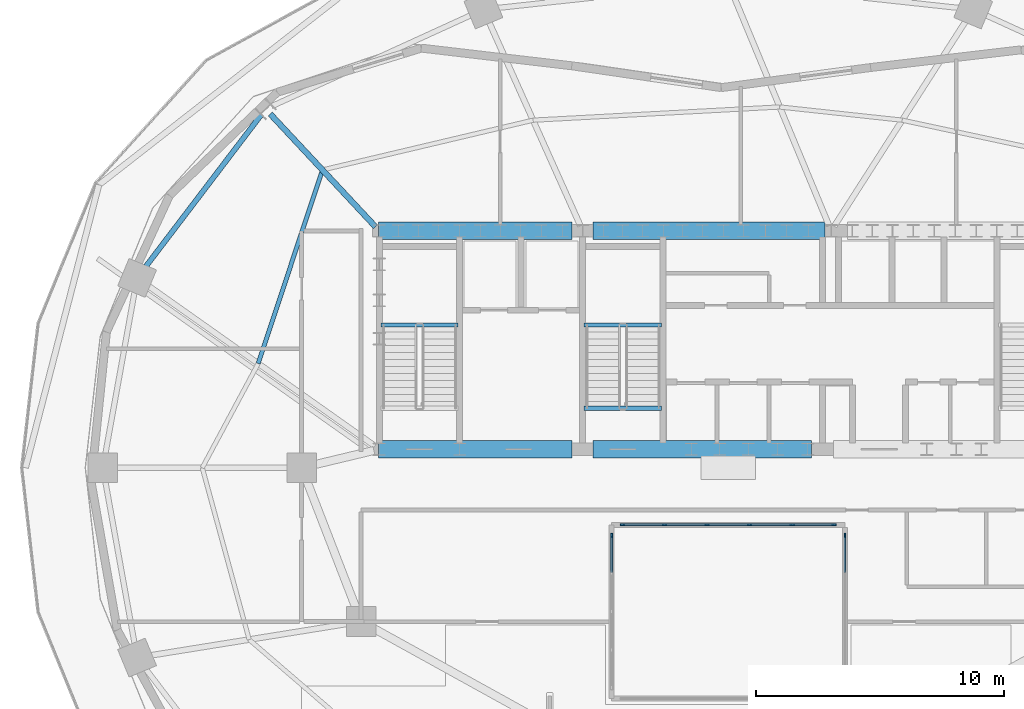
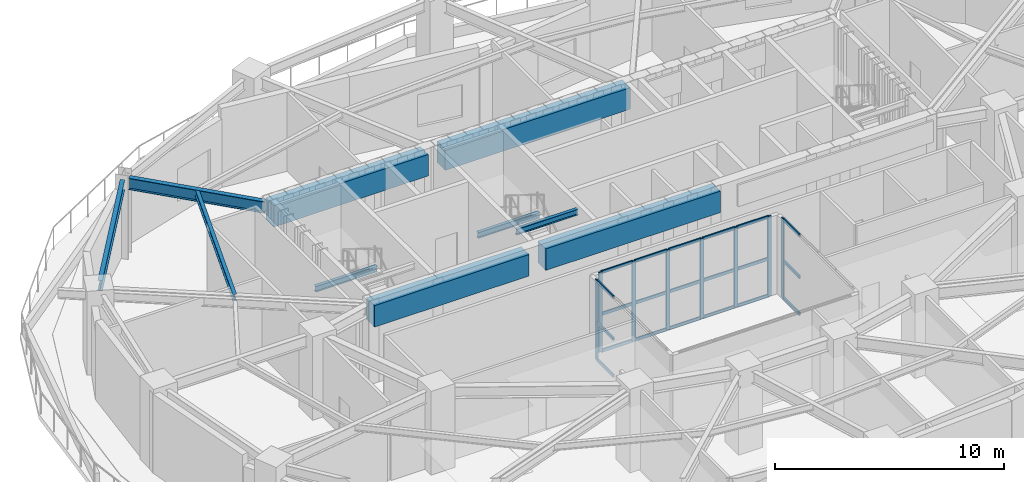
# One storey, part 3 of 11: 29 members, 10 beams, 3 elements without a shape of their own.
"""IFC4 building model written with IfcOpenShell, lengths in metres."""

from ifc_helpers import new_model, si_unit, direction, frame, origin, origin_2d, place, context, subcontext, project, spatial, rectangle, i_section, extrude, material, material_profile, profile_set, type_object, element, aggregate, save


model = new_model("IFC4")

# Units and contexts
model_context = context("Model", 3, precision=1e-05, world=origin(), true_north=direction((0.0, 1.0)))
body_context = subcontext(model_context, "Body", "Model", "MODEL_VIEW")
ifc_project = project(units=[si_unit("LENGTHUNIT", "METRE"), si_unit("AREAUNIT", "SQUARE_METRE"), si_unit("VOLUMEUNIT", "CUBIC_METRE"), si_unit("PLANEANGLEUNIT", "RADIAN"), si_unit("MASSUNIT", "GRAM", prefix="KILO")], contexts=[model_context])

# Site, building, storey
site_placement = place(None, origin())
site = spatial("IfcSite", under=ifc_project, at=site_placement, CompositionType="ELEMENT")
building_placement = place(site_placement, origin())
building = spatial("IfcBuilding", under=site, at=building_placement, Name="Haldorwick Loom Tower", CompositionType="ELEMENT")
storey_placement = place(building_placement, frame((0.0, 0.0, 131.14990234375)))
storey = spatial("IfcBuildingStorey", under=building, at=storey_placement, Name="L35", CompositionType="ELEMENT", Elevation=131.14990234375)

# Curtain wall, members
ifc_material_1 = material(Name="Thermally Broken Anodized Aluminium Curtain Wall Framing", Category="aluminium")
curtain_wall_type = type_object("IfcCurtainWallType", Name="ARC-CW-03", PredefinedType="NOTDEFINED", material=ifc_material_1)
curtain_wall_1_placement = place(storey_placement, origin())
curtain_wall_1 = element("IfcCurtainWall", 1, at=curtain_wall_1_placement, inside=storey, type_object=curtain_wall_type, Name="L35 Atrium Glazed Screen N", PredefinedType="NOTDEFINED")
ifc_material_profile_1 = material_profile(ifc_material_1, rectangle(XDim=0.06591796875, YDim=0.18505859375, at=origin_2d()), Name="ALU_MUL_66X185", Category="aluminium")
ifc_profile_set_1 = profile_set([ifc_material_profile_1], Name="Thermally Broken Anodized Aluminium Curtain Wall Framing")
member_type_1 = type_object("IfcMemberType", Name="ARC-CWM-03", PredefinedType="MULLION", material=ifc_profile_set_1)
member_1_placement = place(storey_placement, frame((31.73291015625, 23.699951171875, 0.0), z_axis=(0.0, 0.0, 1.0), x_axis=(0.0, 1.0, 0.0)))
member_1 = element("IfcMember", 2, at=member_1_placement, type_object=member_type_1, Name="CW-03 mullion 1", PredefinedType="MULLION", context=body_context, shape_type="SweptSolid", body=[
    extrude(rectangle(XDim=0.06591796875, YDim=0.18505859375, at=origin_2d()), origin(), (0.0, 0.0, 1.0), 4.260009765625),
])
member_2_placement = place(storey_placement, frame((33.419921875, 23.699951171875, 0.0), z_axis=(0.0, 0.0, 1.0), x_axis=(0.0, 1.0, 0.0)))
member_2 = element("IfcMember", 3, at=member_2_placement, type_object=member_type_1, Name="CW-03 mullion 2", PredefinedType="MULLION", context=body_context, shape_type="SweptSolid", body=[
    extrude(rectangle(XDim=0.06591796875, YDim=0.18505859375, at=origin_2d()), origin(), (0.0, 0.0, 1.0), 4.260009765625),
])
member_3_placement = place(storey_placement, frame((35.139892578125, 23.699951171875, 0.0), z_axis=(0.0, 0.0, 1.0), x_axis=(0.0, 1.0, 0.0)))
member_3 = element("IfcMember", 4, at=member_3_placement, type_object=member_type_1, Name="CW-03 mullion 3", PredefinedType="MULLION", context=body_context, shape_type="SweptSolid", body=[
    extrude(rectangle(XDim=0.06591796875, YDim=0.18505859375, at=origin_2d()), origin(), (0.0, 0.0, 1.0), 4.260009765625),
])
member_4_placement = place(storey_placement, frame((36.860107421875, 23.699951171875, 0.0), z_axis=(0.0, 0.0, 1.0), x_axis=(0.0, 1.0, 0.0)))
member_4 = element("IfcMember", 5, at=member_4_placement, type_object=member_type_1, Name="CW-03 mullion 4", PredefinedType="MULLION", context=body_context, shape_type="SweptSolid", body=[
    extrude(rectangle(XDim=0.06591796875, YDim=0.18505859375, at=origin_2d()), origin(), (0.0, 0.0, 1.0), 4.260009765625),
])
member_5_placement = place(storey_placement, frame((38.580078125, 23.699951171875, 0.0), z_axis=(0.0, 0.0, 1.0), x_axis=(0.0, 1.0, 0.0)))
member_5 = element("IfcMember", 6, at=member_5_placement, type_object=member_type_1, Name="CW-03 mullion 5", PredefinedType="MULLION", context=body_context, shape_type="SweptSolid", body=[
    extrude(rectangle(XDim=0.06591796875, YDim=0.18505859375, at=origin_2d()), origin(), (0.0, 0.0, 1.0), 4.260009765625),
])
member_6_placement = place(storey_placement, frame((40.26708984375, 23.699951171875, 0.0), z_axis=(0.0, 0.0, 1.0), x_axis=(0.0, 1.0, 0.0)))
member_6 = element("IfcMember", 7, at=member_6_placement, type_object=member_type_1, Name="CW-03 mullion 6", PredefinedType="MULLION", context=body_context, shape_type="SweptSolid", body=[
    extrude(rectangle(XDim=0.06591796875, YDim=0.18505859375, at=origin_2d()), origin(), (0.0, 0.0, 1.0), 4.260009765625),
])

# Curtain wall, member
curtain_wall_2_placement = place(storey_placement, origin())
curtain_wall_2 = element("IfcCurtainWall", 8, at=curtain_wall_2_placement, inside=storey, type_object=curtain_wall_type, Name="L35 Atrium Glazed Screen W", PredefinedType="NOTDEFINED")
member_7_placement = place(storey_placement, frame((31.300048828125, 23.26708984375, 0.0), z_axis=(0.0, 0.0, 1.0), x_axis=(-1.0, 0.0, 0.0)))
member_7 = element("IfcMember", 9, at=member_7_placement, type_object=member_type_1, Name="CW-03 mullion 5", PredefinedType="MULLION", context=body_context, shape_type="SweptSolid", body=[
    extrude(rectangle(XDim=0.06591796875, YDim=0.18505859375, at=origin_2d()), origin(), (0.0, 0.0, 1.0), 4.260009765625),
])

curtain_wall_3_placement = place(storey_placement, origin())
curtain_wall_3 = element("IfcCurtainWall", 10, at=curtain_wall_3_placement, inside=storey, type_object=curtain_wall_type, Name="L35 Atrium Glazed Screen E", PredefinedType="NOTDEFINED")
member_8_placement = place(storey_placement, frame((40.699951171875, 23.26708984375, 0.0), z_axis=(0.0, 0.0, 1.0), x_axis=(1.0, 0.0, 0.0)))
member_8 = element("IfcMember", 11, at=member_8_placement, type_object=member_type_1, Name="CW-03 mullion 1", PredefinedType="MULLION", context=body_context, shape_type="SweptSolid", body=[
    extrude(rectangle(XDim=0.06591796875, YDim=0.18505859375, at=origin_2d()), origin(), (0.0, 0.0, 1.0), 4.260009765625),
])

# Member
ifc_material_profile_2 = material_profile(ifc_material_1, rectangle(XDim=0.06591796875, YDim=0.1650390625, at=origin_2d()), Name="ALU_TRN_66X165", Category="aluminium")
ifc_profile_set_2 = profile_set([ifc_material_profile_2], Name="Thermally Broken Anodized Aluminium Curtain Wall Framing")
member_type_2 = type_object("IfcMemberType", Name="ARC-CWT-03", PredefinedType="USERDEFINED", material=ifc_profile_set_2)
member_9_placement = place(storey_placement, frame((31.76611328125, 23.699951171875, 0.033203125), z_axis=(1.0, 0.0, 0.0), x_axis=(0.0, 1.0, 0.0)))
member_9 = element("IfcMember", 12, at=member_9_placement, type_object=member_type_2, Name="CW-03 transom 1.1", ObjectType="TRANSOM", PredefinedType="USERDEFINED", context=body_context, shape_type="SweptSolid", body=[
    extrude(rectangle(XDim=0.06591796875, YDim=0.1650390625, at=origin_2d()), origin(), (0.0, 0.0, 1.0), 1.620849609375),
])

member_10_placement = place(storey_placement, frame((31.76611328125, 23.699951171875, 2.0), z_axis=(1.0, 0.0, 0.0), x_axis=(0.0, 1.0, 0.0)))
member_10 = element("IfcMember", 13, at=member_10_placement, type_object=member_type_2, Name="CW-03 transom 1.2", ObjectType="TRANSOM", PredefinedType="USERDEFINED", context=body_context, shape_type="SweptSolid", body=[
    extrude(rectangle(XDim=0.06591796875, YDim=0.1650390625, at=origin_2d()), origin(), (0.0, 0.0, 1.0), 1.620849609375),
])

member_11_placement = place(storey_placement, frame((31.76611328125, 23.699951171875, 4.22705078125), z_axis=(1.0, 0.0, 0.0), x_axis=(0.0, 1.0, 0.0)))
member_11 = element("IfcMember", 14, at=member_11_placement, type_object=member_type_2, Name="CW-03 transom 1.3", ObjectType="TRANSOM", PredefinedType="USERDEFINED", context=body_context, shape_type="SweptSolid", body=[
    extrude(rectangle(XDim=0.06591796875, YDim=0.1650390625, at=origin_2d()), origin(), (0.0, 0.0, 1.0), 1.620849609375),
])

member_12_placement = place(storey_placement, frame((33.452880859375, 23.699951171875, 0.033203125), z_axis=(1.0, 0.0, 0.0), x_axis=(0.0, 1.0, 0.0)))
member_12 = element("IfcMember", 15, at=member_12_placement, type_object=member_type_2, Name="CW-03 transom 2.1", ObjectType="TRANSOM", PredefinedType="USERDEFINED", context=body_context, shape_type="SweptSolid", body=[
    extrude(rectangle(XDim=0.06591796875, YDim=0.1650390625, at=origin_2d()), origin(), (0.0, 0.0, 1.0), 1.654052734375),
])

member_13_placement = place(storey_placement, frame((33.452880859375, 23.699951171875, 2.0), z_axis=(1.0, 0.0, 0.0), x_axis=(0.0, 1.0, 0.0)))
member_13 = element("IfcMember", 16, at=member_13_placement, type_object=member_type_2, Name="CW-03 transom 2.2", ObjectType="TRANSOM", PredefinedType="USERDEFINED", context=body_context, shape_type="SweptSolid", body=[
    extrude(rectangle(XDim=0.06591796875, YDim=0.1650390625, at=origin_2d()), origin(), (0.0, 0.0, 1.0), 1.654052734375),
])

member_14_placement = place(storey_placement, frame((33.452880859375, 23.699951171875, 4.22705078125), z_axis=(1.0, 0.0, 0.0), x_axis=(0.0, 1.0, 0.0)))
member_14 = element("IfcMember", 17, at=member_14_placement, type_object=member_type_2, Name="CW-03 transom 2.3", ObjectType="TRANSOM", PredefinedType="USERDEFINED", context=body_context, shape_type="SweptSolid", body=[
    extrude(rectangle(XDim=0.06591796875, YDim=0.1650390625, at=origin_2d()), origin(), (0.0, 0.0, 1.0), 1.654052734375),
])

member_15_placement = place(storey_placement, frame((35.173095703125, 23.699951171875, 0.033203125), z_axis=(1.0, 0.0, 0.0), x_axis=(0.0, 1.0, 0.0)))
member_15 = element("IfcMember", 18, at=member_15_placement, type_object=member_type_2, Name="CW-03 transom 3.1", ObjectType="TRANSOM", PredefinedType="USERDEFINED", context=body_context, shape_type="SweptSolid", body=[
    extrude(rectangle(XDim=0.06591796875, YDim=0.1650390625, at=origin_2d()), origin(), (0.0, 0.0, 1.0), 1.65380859375),
])

member_16_placement = place(storey_placement, frame((35.173095703125, 23.699951171875, 2.0), z_axis=(1.0, 0.0, 0.0), x_axis=(0.0, 1.0, 0.0)))
member_16 = element("IfcMember", 19, at=member_16_placement, type_object=member_type_2, Name="CW-03 transom 3.2", ObjectType="TRANSOM", PredefinedType="USERDEFINED", context=body_context, shape_type="SweptSolid", body=[
    extrude(rectangle(XDim=0.06591796875, YDim=0.1650390625, at=origin_2d()), origin(), (0.0, 0.0, 1.0), 1.65380859375),
])

member_17_placement = place(storey_placement, frame((35.173095703125, 23.699951171875, 4.22705078125), z_axis=(1.0, 0.0, 0.0), x_axis=(0.0, 1.0, 0.0)))
member_17 = element("IfcMember", 20, at=member_17_placement, type_object=member_type_2, Name="CW-03 transom 3.3", ObjectType="TRANSOM", PredefinedType="USERDEFINED", context=body_context, shape_type="SweptSolid", body=[
    extrude(rectangle(XDim=0.06591796875, YDim=0.1650390625, at=origin_2d()), origin(), (0.0, 0.0, 1.0), 1.65380859375),
])

member_18_placement = place(storey_placement, frame((36.89306640625, 23.699951171875, 0.033203125), z_axis=(1.0, 0.0, 0.0), x_axis=(0.0, 1.0, 0.0)))
member_18 = element("IfcMember", 21, at=member_18_placement, type_object=member_type_2, Name="CW-03 transom 4.1", ObjectType="TRANSOM", PredefinedType="USERDEFINED", context=body_context, shape_type="SweptSolid", body=[
    extrude(rectangle(XDim=0.06591796875, YDim=0.1650390625, at=origin_2d()), origin(), (0.0, 0.0, 1.0), 1.654052734375),
])

member_19_placement = place(storey_placement, frame((36.89306640625, 23.699951171875, 2.0), z_axis=(1.0, 0.0, 0.0), x_axis=(0.0, 1.0, 0.0)))
member_19 = element("IfcMember", 22, at=member_19_placement, type_object=member_type_2, Name="CW-03 transom 4.2", ObjectType="TRANSOM", PredefinedType="USERDEFINED", context=body_context, shape_type="SweptSolid", body=[
    extrude(rectangle(XDim=0.06591796875, YDim=0.1650390625, at=origin_2d()), origin(), (0.0, 0.0, 1.0), 1.654052734375),
])

member_20_placement = place(storey_placement, frame((36.89306640625, 23.699951171875, 4.22705078125), z_axis=(1.0, 0.0, 0.0), x_axis=(0.0, 1.0, 0.0)))
member_20 = element("IfcMember", 23, at=member_20_placement, type_object=member_type_2, Name="CW-03 transom 4.3", ObjectType="TRANSOM", PredefinedType="USERDEFINED", context=body_context, shape_type="SweptSolid", body=[
    extrude(rectangle(XDim=0.06591796875, YDim=0.1650390625, at=origin_2d()), origin(), (0.0, 0.0, 1.0), 1.654052734375),
])

member_21_placement = place(storey_placement, frame((38.613037109375, 23.699951171875, 0.033203125), z_axis=(1.0, 0.0, 0.0), x_axis=(0.0, 1.0, 0.0)))
member_21 = element("IfcMember", 24, at=member_21_placement, type_object=member_type_2, Name="CW-03 transom 5.1", ObjectType="TRANSOM", PredefinedType="USERDEFINED", context=body_context, shape_type="SweptSolid", body=[
    extrude(rectangle(XDim=0.06591796875, YDim=0.1650390625, at=origin_2d()), origin(), (0.0, 0.0, 1.0), 1.620849609375),
])

member_22_placement = place(storey_placement, frame((38.613037109375, 23.699951171875, 2.0), z_axis=(1.0, 0.0, 0.0), x_axis=(0.0, 1.0, 0.0)))
member_22 = element("IfcMember", 25, at=member_22_placement, type_object=member_type_2, Name="CW-03 transom 5.2", ObjectType="TRANSOM", PredefinedType="USERDEFINED", context=body_context, shape_type="SweptSolid", body=[
    extrude(rectangle(XDim=0.06591796875, YDim=0.1650390625, at=origin_2d()), origin(), (0.0, 0.0, 1.0), 1.620849609375),
])

member_23_placement = place(storey_placement, frame((38.613037109375, 23.699951171875, 4.22705078125), z_axis=(1.0, 0.0, 0.0), x_axis=(0.0, 1.0, 0.0)))
member_23 = element("IfcMember", 26, at=member_23_placement, type_object=member_type_2, Name="CW-03 transom 5.3", ObjectType="TRANSOM", PredefinedType="USERDEFINED", context=body_context, shape_type="SweptSolid", body=[
    extrude(rectangle(XDim=0.06591796875, YDim=0.1650390625, at=origin_2d()), origin(), (0.0, 0.0, 1.0), 1.620849609375),
])

aggregate(curtain_wall_1, [member_1, member_2, member_3, member_4, member_5, member_6, member_9, member_10, member_11, member_12, member_13, member_14, member_15, member_16, member_17, member_18, member_19, member_20, member_21, member_22, member_23])

member_24_placement = place(storey_placement, frame((31.300048828125, 21.782958984375, 0.033203125), z_axis=(0.0, 1.0, 0.0), x_axis=(-1.0, 0.0, 0.0)))
member_24 = element("IfcMember", 27, at=member_24_placement, type_object=member_type_2, Name="CW-03 transom 4.1", ObjectType="TRANSOM", PredefinedType="USERDEFINED", context=body_context, shape_type="SweptSolid", body=[
    extrude(rectangle(XDim=0.06591796875, YDim=0.1650390625, at=origin_2d()), origin(), (0.0, 0.0, 1.0), 1.450927734375),
])

member_25_placement = place(storey_placement, frame((31.300048828125, 21.782958984375, 2.0), z_axis=(0.0, 1.0, 0.0), x_axis=(-1.0, 0.0, 0.0)))
member_25 = element("IfcMember", 28, at=member_25_placement, type_object=member_type_2, Name="CW-03 transom 4.2", ObjectType="TRANSOM", PredefinedType="USERDEFINED", context=body_context, shape_type="SweptSolid", body=[
    extrude(rectangle(XDim=0.06591796875, YDim=0.1650390625, at=origin_2d()), origin(), (0.0, 0.0, 1.0), 1.450927734375),
])

member_26_placement = place(storey_placement, frame((31.300048828125, 21.782958984375, 4.22705078125), z_axis=(0.0, 1.0, 0.0), x_axis=(-1.0, 0.0, 0.0)))
member_26 = element("IfcMember", 29, at=member_26_placement, type_object=member_type_2, Name="CW-03 transom 4.3", ObjectType="TRANSOM", PredefinedType="USERDEFINED", context=body_context, shape_type="SweptSolid", body=[
    extrude(rectangle(XDim=0.06591796875, YDim=0.1650390625, at=origin_2d()), origin(), (0.0, 0.0, 1.0), 1.450927734375),
])

aggregate(curtain_wall_2, [member_7, member_24, member_25, member_26])

member_27_placement = place(storey_placement, frame((40.699951171875, 23.23388671875, 0.033203125), z_axis=(0.0, -1.0, 0.0), x_axis=(1.0, 0.0, 0.0)))
member_27 = element("IfcMember", 30, at=member_27_placement, type_object=member_type_2, Name="CW-03 transom 1.1", ObjectType="TRANSOM", PredefinedType="USERDEFINED", context=body_context, shape_type="SweptSolid", body=[
    extrude(rectangle(XDim=0.06591796875, YDim=0.1650390625, at=origin_2d()), origin(), (0.0, 0.0, 1.0), 1.450927734375),
])

member_28_placement = place(storey_placement, frame((40.699951171875, 23.23388671875, 2.0), z_axis=(0.0, -1.0, 0.0), x_axis=(1.0, 0.0, 0.0)))
member_28 = element("IfcMember", 31, at=member_28_placement, type_object=member_type_2, Name="CW-03 transom 1.2", ObjectType="TRANSOM", PredefinedType="USERDEFINED", context=body_context, shape_type="SweptSolid", body=[
    extrude(rectangle(XDim=0.06591796875, YDim=0.1650390625, at=origin_2d()), origin(), (0.0, 0.0, 1.0), 1.450927734375),
])

member_29_placement = place(storey_placement, frame((40.699951171875, 23.23388671875, 4.22705078125), z_axis=(0.0, -1.0, 0.0), x_axis=(1.0, 0.0, 0.0)))
member_29 = element("IfcMember", 32, at=member_29_placement, type_object=member_type_2, Name="CW-03 transom 1.3", ObjectType="TRANSOM", PredefinedType="USERDEFINED", context=body_context, shape_type="SweptSolid", body=[
    extrude(rectangle(XDim=0.06591796875, YDim=0.1650390625, at=origin_2d()), origin(), (0.0, 0.0, 1.0), 1.450927734375),
])

aggregate(curtain_wall_3, [member_8, member_27, member_28, member_29])

# Beams
ifc_material_2 = material(Name="Concrete C60 (60 MPa)", Category="concrete")
ifc_material_profile_3 = material_profile(ifc_material_2, rectangle(XDim=0.699951171875, YDim=1.14990234375, at=origin_2d()), Name="RC700X1150", Category="concrete")
ifc_profile_set_3 = profile_set([ifc_material_profile_3], Name="Concrete C60 (60 MPa)")
beam_type_1 = type_object("IfcBeamType", Name="STR-BM-CB1150", PredefinedType="LINTEL", material=ifc_profile_set_3)
beam_1_placement = place(storey_placement, frame((21.89990234375, 35.550048828125, 3.68505859375), z_axis=(1.0, 0.0, 0.0), x_axis=(0.0, 1.0, 0.0)))
element("IfcBeam", 33, at=beam_1_placement, inside=storey, type_object=beam_type_1, Name="L35 Core Coupling Beam CB-N1", PredefinedType="LINTEL", context=body_context, shape_type="SweptSolid", body=[
    extrude(rectangle(XDim=0.699951171875, YDim=1.14990234375, at=origin_2d()), origin(), (0.0, 0.0, 1.0), 7.800048828125),
])
beam_2_placement = place(storey_placement, frame((30.550048828125, 35.550048828125, 3.68505859375), z_axis=(1.0, 0.0, 0.0), x_axis=(0.0, 1.0, 0.0)))
element("IfcBeam", 34, at=beam_2_placement, inside=storey, type_object=beam_type_1, Name="L35 Core Coupling Beam CB-N2", PredefinedType="LINTEL", context=body_context, shape_type="SweptSolid", body=[
    extrude(rectangle(XDim=0.699951171875, YDim=1.14990234375, at=origin_2d()), origin(), (0.0, 0.0, 1.0), 9.349853515625),
])
beam_3_placement = place(storey_placement, frame((21.89990234375, 26.75, 3.68505859375), z_axis=(1.0, 0.0, 0.0), x_axis=(0.0, 1.0, 0.0)))
element("IfcBeam", 35, at=beam_3_placement, inside=storey, type_object=beam_type_1, Name="L35 Core Coupling Beam CB-S1", PredefinedType="LINTEL", context=body_context, shape_type="SweptSolid", body=[
    extrude(rectangle(XDim=0.699951171875, YDim=1.14990234375, at=origin_2d()), origin(), (0.0, 0.0, 1.0), 7.800048828125),
])
beam_4_placement = place(storey_placement, frame((30.550048828125, 26.75, 3.68505859375), z_axis=(1.0, 0.0, 0.0), x_axis=(0.0, 1.0, 0.0)))
element("IfcBeam", 36, at=beam_4_placement, inside=storey, type_object=beam_type_1, Name="L35 Core Coupling Beam CB-S2", PredefinedType="LINTEL", context=body_context, shape_type="SweptSolid", body=[
    extrude(rectangle(XDim=0.699951171875, YDim=1.14990234375, at=origin_2d()), origin(), (0.0, 0.0, 1.0), 8.800048828125),
])
ifc_material_3 = material(Name="Steel CSA G40.21 350W", Category="steel")
ifc_material_profile_4 = material_profile(ifc_material_3, i_section(OverallWidth=0.172119140625, OverallDepth=0.35791015625, WebThickness=0.0078125, FlangeThickness=0.01318359375, at=origin_2d()), Name="W360X57", Category="steel")
ifc_profile_set_4 = profile_set([ifc_material_profile_4], Name="Steel CSA G40.21 350W")
beam_type_2 = type_object("IfcBeamType", Name="STR-BM-J360", PredefinedType="JOIST", material=ifc_profile_set_4)
beam_5_placement = place(storey_placement, frame((19.63720703125, 38.007080078125, 4.0810546875), z_axis=(-0.314980632705, -0.949098098734, 0.0), x_axis=(0.949098098734, -0.314980632705, 0.0)))
element("IfcBeam", 37, at=beam_5_placement, inside=storey, type_object=beam_type_2, Name="L35 Mid-Bay Secondary Joist 7", PredefinedType="JOIST", context=body_context, shape_type="SweptSolid", body=[
    extrude(i_section(OverallWidth=0.172119140625, OverallDepth=0.35791015625, WebThickness=0.0078125, FlangeThickness=0.01318359375, at=origin_2d()), origin(), (0.0, 0.0, 1.0), 8.223876953125),
])
ifc_material_profile_5 = material_profile(ifc_material_3, i_section(OverallWidth=0.2119140625, OverallDepth=0.5439453125, WebThickness=0.01318359375, FlangeThickness=0.021240234375, at=origin_2d()), Name="W530X123", Category="steel")
ifc_profile_set_5 = profile_set([ifc_material_profile_5], Name="Steel CSA G40.21 350W")
beam_type_3 = type_object("IfcBeamType", Name="STR-BM-SP530", PredefinedType="SPANDREL", material=ifc_profile_set_5)
beam_6_placement = place(storey_placement, frame((17.177978515625, 40.245361328125, 3.988037109375), z_axis=(-0.605421356486, -0.795905133236, 0.0), x_axis=(0.795905133236, -0.605421356486, 0.0)))
element("IfcBeam", 38, at=beam_6_placement, inside=storey, type_object=beam_type_3, Name="L35 Perimeter Spandrel 7", PredefinedType="SPANDREL", context=body_context, shape_type="SweptSolid", body=[
    extrude(i_section(OverallWidth=0.2119140625, OverallDepth=0.5439453125, WebThickness=0.01318359375, FlangeThickness=0.021240234375, at=origin_2d()), origin(), (0.0, 0.0, 1.0), 7.761962890625),
])
ifc_material_profile_6 = material_profile(ifc_material_3, i_section(OverallWidth=0.166015625, OverallDepth=0.31298828125, WebThickness=0.006591796875, FlangeThickness=0.01123046875, at=origin_2d()), Name="W310X45", Category="steel")
ifc_profile_set_6 = profile_set([ifc_material_profile_6], Name="Steel CSA G40.21 350W")
beam_type_4 = type_object("IfcBeamType", Name="STR-BM-STRM", PredefinedType="BEAM", material=ifc_profile_set_6)
for number, where, z_axis, x_axis, name in (
    (39, (21.989990234375, 31.760009765625, 1.8935546875), (1.0, 0.0, 0.0), (0.0, 1.0, 0.0), "L35 Stair ST-01 Half-Landing Trimmer 1"),
    (40, (30.18994140625, 28.39990234375, 4.103515625), (1.0, 0.0, 0.0), (0.0, 1.0, 0.0), "L35 Stair ST-03 Landing Edge Trimmer"),
    (41, (30.18994140625, 31.760009765625, 1.8935546875), (1.0, 0.0, 0.0), (0.0, 1.0, 0.0), "L35 Stair ST-03 Half-Landing Trimmer 1"),
):
    element("IfcBeam", number, at=place(storey_placement, frame(where, z_axis=z_axis, x_axis=x_axis)), inside=storey, type_object=beam_type_4, Name=name, PredefinedType="BEAM", context=body_context, shape_type="SweptSolid", body=[
        extrude(i_section(OverallWidth=0.166015625, OverallDepth=0.31298828125, WebThickness=0.006591796875, FlangeThickness=0.01123046875, at=origin_2d()), origin(), (0.0, 0.0, 1.0), 3.1201171875),
    ])
ifc_material_profile_7 = material_profile(ifc_material_3, i_section(OverallWidth=0.22998046875, OverallDepth=0.616943359375, WebThickness=0.01318359375, FlangeThickness=0.022216796875, at=origin_2d()), Name="W610X140", Category="steel")
ifc_profile_set_7 = profile_set([ifc_material_profile_7], Name="Steel CSA G40.21 350W")
beam_type_5 = type_object("IfcBeamType", Name="STR-BM-W610B", PredefinedType="BEAM", material=ifc_profile_set_7)
beam_7_placement = place(storey_placement, frame((21.776611328125, 35.714599609375, 3.95166015625), z_axis=(-0.682256728841, 0.731112683484, 0.0), x_axis=(-0.731112683484, -0.682256728841, 0.0)))
element("IfcBeam", 42, at=beam_7_placement, inside=storey, type_object=beam_type_5, Name="L35 Radial Floor Girder 7", PredefinedType="BEAM", context=body_context, shape_type="SweptSolid", body=[
    extrude(i_section(OverallWidth=0.22998046875, OverallDepth=0.616943359375, WebThickness=0.01318359375, FlangeThickness=0.022216796875, at=origin_2d()), origin(), (0.0, 0.0, 1.0), 6.221435546875),
])

save(model, "model.ifc")
